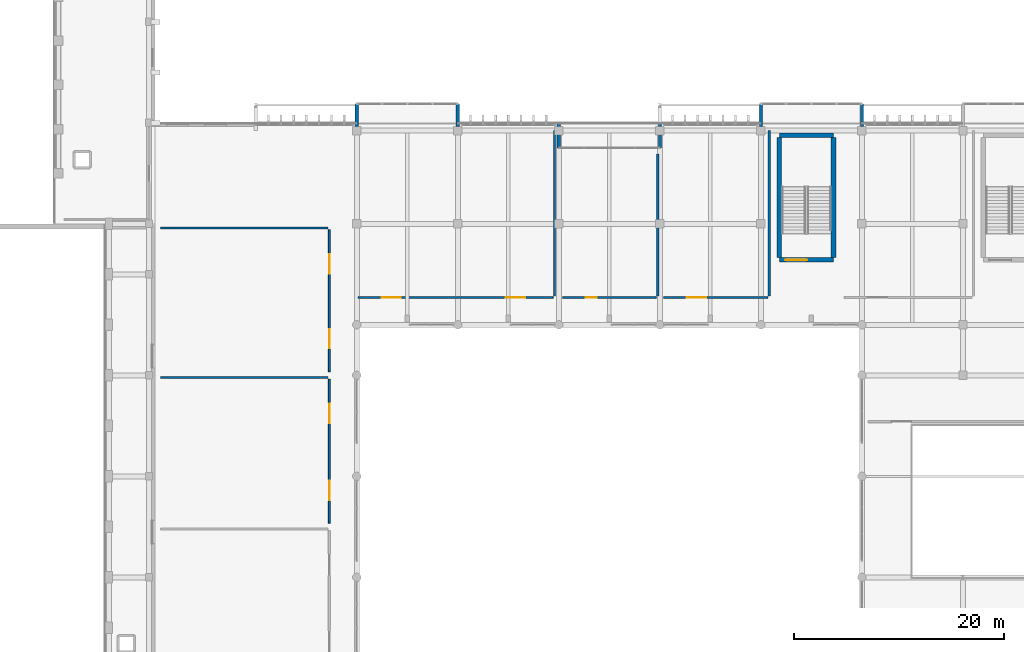
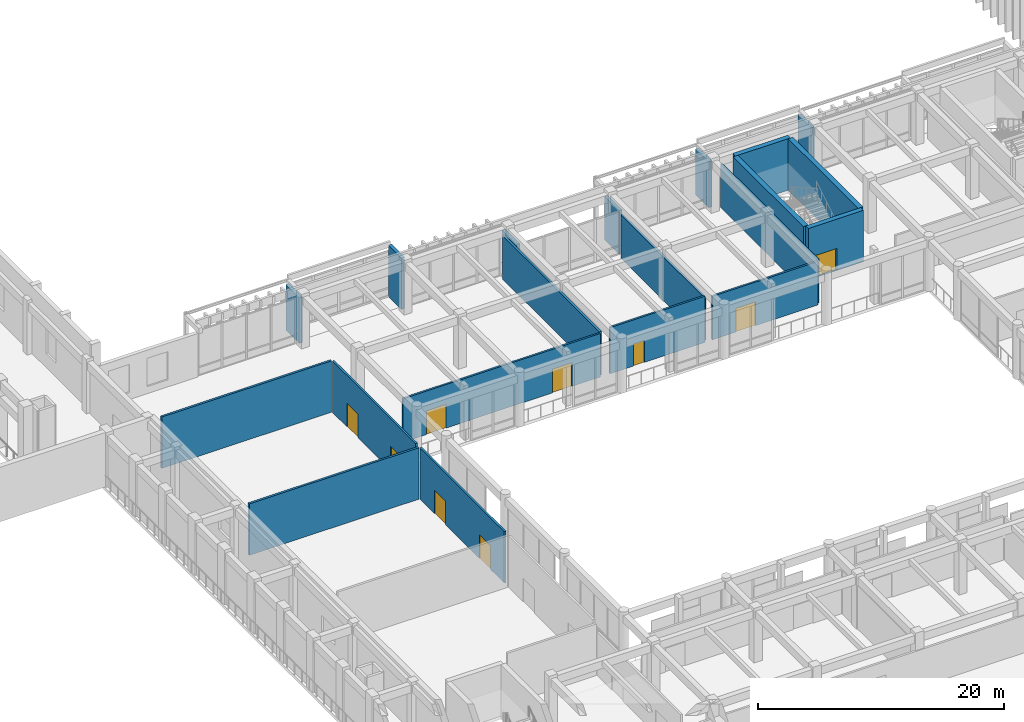
# One storey, part 105 of 134: 20 walls, 9 doors, 9 openings.
"""IFC4 building model written with IfcOpenShell, lengths in metres."""

from ifc_helpers import new_model, si_unit, direction, frame, frame_2d, origin, place, context, subcontext, project, spatial, rectangle, extrude, material, layer, layer_set, type_object, element, fill, save


model = new_model("IFC4")

# Units and contexts
model_context = context("Model", 3, precision=1e-05, world=origin(), true_north=direction((0.0, 1.0)))
body_context = subcontext(model_context, "Body", "Model", "MODEL_VIEW")
ifc_project = project(units=[si_unit("LENGTHUNIT", "METRE"), si_unit("AREAUNIT", "SQUARE_METRE"), si_unit("VOLUMEUNIT", "CUBIC_METRE"), si_unit("PLANEANGLEUNIT", "RADIAN"), si_unit("MASSUNIT", "GRAM", prefix="KILO")], contexts=[model_context])

# Site, building, storey
site_placement = place(None, origin())
site = spatial("IfcSite", under=ifc_project, at=site_placement, CompositionType="ELEMENT")
building_placement = place(site_placement, origin())
building = spatial("IfcBuilding", under=site, at=building_placement, Name="Nakhvara Creek Congress Hotel", CompositionType="ELEMENT")
storey_placement = place(building_placement, frame((0.0, 0.0, 6.0)))
storey = spatial("IfcBuildingStorey", under=building, at=storey_placement, Name="L01", CompositionType="ELEMENT", Elevation=6.0)

# Walls
ifc_material_1 = material(Name="Champagne-bronze anodised aluminium cassette", Category="aluminium")
ifc_layer_1 = layer(ifc_material_1, 0.030029296875)
ifc_material_2 = material(Name="Mineral wool thermal insulation")
ifc_layer_2 = layer(ifc_material_2, 0.10009765625)
ifc_material_3 = material(Name="Precast concrete C40/50", Category="concrete")
ifc_layer_3 = layer(ifc_material_3, 0.169921875)
ifc_layer_set_1 = layer_set([ifc_layer_1, ifc_layer_2, ifc_layer_3], Name="Precast concrete C40/50")
wall_type_1 = type_object("IfcWallType", Name="W-BOX-300", PredefinedType="SOLIDWALL", material=ifc_layer_set_1)
wall_1_placement = place(storey_placement, frame((76.800048828125, 95.64990234375, 0.0), z_axis=(0.0, 0.0, 1.0), x_axis=(0.0, 1.0, 0.0)))
element("IfcWall", 1, at=wall_1_placement, inside=storey, type_object=wall_type_1, Name="Exterior Wall WE06-EW-L01-0044", PredefinedType="SOLIDWALL", context=body_context, shape_type="SweptSolid", body=[
    extrude(rectangle(XDim=2.150146484375, YDim=0.300048828125, at=frame_2d((1.0751953125, 0.0))), origin(), (0.0, 0.0, 1.0), 4.5419921875),
])
wall_2_placement = place(storey_placement, frame((86.39990234375, 97.800048828125, 0.0), z_axis=(0.0, 0.0, 1.0), x_axis=(0.0, -1.0, 0.0)))
element("IfcWall", 2, at=wall_2_placement, inside=storey, type_object=wall_type_1, Name="Exterior Wall WE06-EW-L01-0045", PredefinedType="SOLIDWALL", context=body_context, shape_type="SweptSolid", body=[
    extrude(rectangle(XDim=2.150146484375, YDim=0.300048828125, at=frame_2d((1.0751953125, 0.0))), origin(), (0.0, 0.0, 1.0), 5.10009765625),
])
for number, where, z_axis, x_axis, name in (
    (3, (115.199951171875, 95.64990234375, 0.0), (0.0, 0.0, 1.0), (0.0, 1.0, 0.0), "Exterior Wall WE06-EW-L01-0046"),
    (4, (124.800048828125, 97.800048828125, 0.0), (0.0, 0.0, 1.0), (0.0, -1.0, 0.0), "Exterior Wall WE06-EW-L01-0047"),
):
    element("IfcWall", number, at=place(storey_placement, frame(where, z_axis=z_axis, x_axis=x_axis)), inside=storey, type_object=wall_type_1, Name=name, PredefinedType="SOLIDWALL", context=body_context, shape_type="SweptSolid", body=[
        extrude(rectangle(XDim=2.150146484375, YDim=0.300048828125, at=frame_2d((1.0751953125, 0.0))), origin(), (0.0, 0.0, 1.0), 4.5419921875),
    ])
for number, where, z_axis, x_axis, name in (
    (5, (96.0, 95.949951171875, 0.0), (0.0, 0.0, 1.0), (0.0, -1.0, 0.0), "Exterior Wall WE06-EW-L01-0050"),
    (6, (105.60009765625, 93.60009765625, 0.0), (0.0, 0.0, 1.0), (0.0, 1.0, 0.0), "Exterior Wall WE06-EW-L01-0051"),
):
    element("IfcWall", number, at=place(storey_placement, frame(where, z_axis=z_axis, x_axis=x_axis)), inside=storey, type_object=wall_type_1, Name=name, PredefinedType="SOLIDWALL", context=body_context, shape_type="SweptSolid", body=[
        extrude(rectangle(XDim=2.349853515625, YDim=0.300048828125, at=frame_2d((1.1748046875, 0.0))), origin(), (0.0, 0.0, 1.0), 4.31201171875),
    ])

# Wall, opening, door
ifc_material_4 = material(Name="Concrete C50/60", Category="concrete")
ifc_layer_4 = layer(ifc_material_4, 0.449951171875)
ifc_layer_set_2 = layer_set([ifc_layer_4], Name="Concrete C50/60")
wall_type_2 = type_object("IfcWallType", Name="W-CORE-450", PredefinedType="SHEAR", material=ifc_layer_set_2)
wall_3_placement = place(storey_placement, frame((116.949951171875, 82.97998046875, 0.0), z_axis=(0.0, 0.0, 1.0), x_axis=(1.0, 0.0, 0.0)))
wall_3 = element("IfcWall", 7, at=wall_3_placement, inside=storey, type_object=wall_type_2, Name="Core Shear Wall WS02-CWALL-L01-0899", PredefinedType="SHEAR", context=body_context, shape_type="SweptSolid", body=[
    extrude(rectangle(XDim=5.150146484375, YDim=0.449951171875, at=frame_2d((2.5751953125, 0.0))), origin(), (0.0, 0.0, 1.0), 5.10009765625),
])
opening_1_placement = place(wall_3_placement, frame((0.550048828125, 0.0, 0.0)))
opening_1 = element("IfcOpeningElement", 8, at=opening_1_placement, cuts=wall_3, Name="Opening FD19", PredefinedType="OPENING", context=body_context, shape_type="SweptSolid", body=[
    extrude(rectangle(XDim=2.10009765625, YDim=2.199951171875, at=frame_2d((1.050048828125, 1.10009765625))), frame((0.0, 0.23681640625, 0.0), z_axis=(0.0, -1.0, 0.0), x_axis=(1.0, 0.0, 0.0)), (0.0, 0.0, 1.0), 0.473876953125),
])
ifc_material_5 = material(Name="Galvanised steel acoustic fire door", Category="steel")
door_type_1 = type_object("IfcDoorType", Name="DT-STAIR-220", OperationType="DOUBLE_DOOR_SINGLE_SWING", PredefinedType="DOOR", material=ifc_material_5)
door_1_placement = place(opening_1_placement, frame((2.10009765625, 0.0, 0.0), z_axis=(0.0, 0.0, 1.0), x_axis=(-1.0, 0.0, 0.0)))
door_1 = element("IfcDoor", 9, at=door_1_placement, inside=storey, type_object=door_type_1, Name="Stair Exit Door ST09-L01", OperationType="DOUBLE_DOOR_SINGLE_SWING", OverallHeight=2.199951171875, OverallWidth=2.10009765625, PredefinedType="DOOR", context=body_context, shape_type="SweptSolid", body=[
    extrude(rectangle(XDim=2.10009765625, YDim=2.199951171875, at=frame_2d((1.050048828125, 1.10009765625))), frame((0.0, 0.02490234375, 0.0), z_axis=(0.0, -1.0, 0.0), x_axis=(1.0, 0.0, 0.0)), (0.0, 0.0, 1.0), 0.050048828125),
])
fill(opening_1, door_1)

# Walls
wall_4_placement = place(storey_placement, frame((116.949951171875, 94.820068359375, 0.0), z_axis=(0.0, 0.0, 1.0), x_axis=(1.0, 0.0, 0.0)))
element("IfcWall", 10, at=wall_4_placement, inside=storey, type_object=wall_type_2, Name="Core Shear Wall WS02-CWALL-L01-0900", PredefinedType="SHEAR", context=body_context, shape_type="SweptSolid", body=[
    extrude(rectangle(XDim=5.150146484375, YDim=0.449951171875, at=frame_2d((2.5751953125, 0.0))), origin(), (0.0, 0.0, 1.0), 5.10009765625),
])
for number, where, z_axis, x_axis, name in (
    (11, (116.949951171875, 83.199951171875, 0.0), (0.0, 0.0, 1.0), (0.0, 1.0, 0.0), "Core Shear Wall WS02-CWALL-L01-0901"),
    (12, (122.10009765625, 83.199951171875, 0.0), (0.0, 0.0, 1.0), (0.0, 1.0, 0.0), "Core Shear Wall WS02-CWALL-L01-0902"),
):
    element("IfcWall", number, at=place(storey_placement, frame(where, z_axis=z_axis, x_axis=x_axis)), inside=storey, type_object=wall_type_2, Name=name, PredefinedType="SHEAR", context=body_context, shape_type="SweptSolid", body=[
        extrude(rectangle(XDim=11.400146484375, YDim=0.449951171875, at=frame_2d((5.7001953125, 0.0))), origin(), (0.0, 0.0, 1.0), 5.10009765625),
    ])

# Wall, openings, doors
ifc_material_6 = material(Name="Gypsum acoustic board on steel stud", Category="steel")
ifc_layer_5 = layer(ifc_material_6, 0.179931640625)
ifc_layer_set_3 = layer_set([ifc_layer_5], Name="Gypsum acoustic board on steel stud")
wall_type_3 = type_object("IfcWallType", Name="W-MEET-180", PredefinedType="PARTITIONING", material=ifc_layer_set_3)
wall_5_placement = place(storey_placement, frame((74.199951171875, 57.949951171875, 0.0), z_axis=(0.0, 0.0, 1.0), x_axis=(0.0, 1.0, 0.0)))
wall_5 = element("IfcWall", 13, at=wall_5_placement, inside=storey, type_object=wall_type_3, Name="Interior Wall WP13-IW-L01-0091", PredefinedType="PARTITIONING", context=body_context, shape_type="SweptSolid", body=[
    extrude(rectangle(XDim=13.699951171875, YDim=0.179931640625, at=frame_2d((6.85009765625, 0.0))), origin(), (0.0, 0.0, 1.0), 5.10009765625),
])
opening_2_placement = place(wall_5_placement, frame((2.199951171875, 0.0, 0.0)))
opening_2 = element("IfcOpeningElement", 14, at=opening_2_placement, cuts=wall_5, Name="Opening MD01", PredefinedType="OPENING", context=body_context, shape_type="SweptSolid", body=[
    extrude(rectangle(XDim=1.85009765625, YDim=2.35009765625, at=frame_2d((0.925048828125, 1.175048828125))), frame((0.0, 0.10205078125, 0.0), z_axis=(0.0, -1.0, 0.0), x_axis=(1.0, 0.0, 0.0)), (0.0, 0.0, 1.0), 0.203857421875),
])
opening_3_placement = place(wall_5_placement, frame((9.5, 0.0, 0.0)))
opening_3 = element("IfcOpeningElement", 15, at=opening_3_placement, cuts=wall_5, Name="Opening MD01", PredefinedType="OPENING", context=body_context, shape_type="SweptSolid", body=[
    extrude(rectangle(XDim=1.85009765625, YDim=2.35009765625, at=frame_2d((0.925048828125, 1.175048828125))), frame((0.0, 0.10205078125, 0.0), z_axis=(0.0, -1.0, 0.0), x_axis=(1.0, 0.0, 0.0)), (0.0, 0.0, 1.0), 0.203857421875),
])
ifc_material_7 = material(Name="Acoustic walnut timber double door", Category="wood")
door_type_2 = type_object("IfcDoorType", Name="DT-MEET-185", OperationType="DOUBLE_DOOR_SINGLE_SWING", PredefinedType="DOOR", material=ifc_material_7)
door_2_placement = place(opening_2_placement, origin())
door_2 = element("IfcDoor", 16, at=door_2_placement, inside=storey, type_object=door_type_2, Name="Interior Door MD01-0092", OperationType="DOUBLE_DOOR_SINGLE_SWING", OverallHeight=2.35009765625, OverallWidth=1.85009765625, PredefinedType="DOOR", context=body_context, shape_type="SweptSolid", body=[
    extrude(rectangle(XDim=1.85009765625, YDim=2.35009765625, at=frame_2d((0.925048828125, 1.175048828125))), frame((0.0, 0.02490234375, 0.0), z_axis=(0.0, -1.0, 0.0), x_axis=(1.0, 0.0, 0.0)), (0.0, 0.0, 1.0), 0.050048828125),
])
fill(opening_2, door_2)
door_3_placement = place(opening_3_placement, origin())
door_3 = element("IfcDoor", 17, at=door_3_placement, inside=storey, type_object=door_type_2, Name="Interior Door MD01-0093", OperationType="DOUBLE_DOOR_SINGLE_SWING", OverallHeight=2.35009765625, OverallWidth=1.85009765625, PredefinedType="DOOR", context=body_context, shape_type="SweptSolid", body=[
    extrude(rectangle(XDim=1.85009765625, YDim=2.35009765625, at=frame_2d((0.925048828125, 1.175048828125))), frame((0.0, 0.02490234375, 0.0), z_axis=(0.0, -1.0, 0.0), x_axis=(1.0, 0.0, 0.0)), (0.0, 0.0, 1.0), 0.050048828125),
])
fill(opening_3, door_3)

wall_6_placement = place(storey_placement, frame((74.199951171875, 72.35009765625, 0.0), z_axis=(0.0, 0.0, 1.0), x_axis=(0.0, 1.0, 0.0)))
wall_6 = element("IfcWall", 18, at=wall_6_placement, inside=storey, type_object=wall_type_3, Name="Interior Wall WP13-IW-L01-0093", PredefinedType="PARTITIONING", context=body_context, shape_type="SweptSolid", body=[
    extrude(rectangle(XDim=13.5, YDim=0.179931640625, at=frame_2d((6.75, 0.0))), origin(), (0.0, 0.0, 1.0), 5.10009765625),
])
opening_4_placement = place(wall_6_placement, frame((2.199951171875, 0.0, 0.0)))
opening_4 = element("IfcOpeningElement", 19, at=opening_4_placement, cuts=wall_6, Name="Opening MD01", PredefinedType="OPENING", context=body_context, shape_type="SweptSolid", body=[
    extrude(rectangle(XDim=1.85009765625, YDim=2.35009765625, at=frame_2d((0.925048828125, 1.175048828125))), frame((0.0, 0.10205078125, 0.0), z_axis=(0.0, -1.0, 0.0), x_axis=(1.0, 0.0, 0.0)), (0.0, 0.0, 1.0), 0.203857421875),
])
opening_5_placement = place(wall_6_placement, frame((9.300048828125, 0.0, 0.0)))
opening_5 = element("IfcOpeningElement", 20, at=opening_5_placement, cuts=wall_6, Name="Opening MD01", PredefinedType="OPENING", context=body_context, shape_type="SweptSolid", body=[
    extrude(rectangle(XDim=1.85009765625, YDim=2.35009765625, at=frame_2d((0.925048828125, 1.175048828125))), frame((0.0, 0.10205078125, 0.0), z_axis=(0.0, -1.0, 0.0), x_axis=(1.0, 0.0, 0.0)), (0.0, 0.0, 1.0), 0.203857421875),
])
door_4_placement = place(opening_4_placement, origin())
door_4 = element("IfcDoor", 21, at=door_4_placement, inside=storey, type_object=door_type_2, Name="Interior Door MD01-0094", OperationType="DOUBLE_DOOR_SINGLE_SWING", OverallHeight=2.35009765625, OverallWidth=1.85009765625, PredefinedType="DOOR", context=body_context, shape_type="SweptSolid", body=[
    extrude(rectangle(XDim=1.85009765625, YDim=2.35009765625, at=frame_2d((0.925048828125, 1.175048828125))), frame((0.0, 0.02490234375, 0.0), z_axis=(0.0, -1.0, 0.0), x_axis=(1.0, 0.0, 0.0)), (0.0, 0.0, 1.0), 0.050048828125),
])
fill(opening_4, door_4)
door_5_placement = place(opening_5_placement, origin())
door_5 = element("IfcDoor", 22, at=door_5_placement, inside=storey, type_object=door_type_2, Name="Interior Door MD01-0095", OperationType="DOUBLE_DOOR_SINGLE_SWING", OverallHeight=2.35009765625, OverallWidth=1.85009765625, PredefinedType="DOOR", context=body_context, shape_type="SweptSolid", body=[
    extrude(rectangle(XDim=1.85009765625, YDim=2.35009765625, at=frame_2d((0.925048828125, 1.175048828125))), frame((0.0, 0.02490234375, 0.0), z_axis=(0.0, -1.0, 0.0), x_axis=(1.0, 0.0, 0.0)), (0.0, 0.0, 1.0), 0.050048828125),
])
fill(opening_5, door_5)

wall_7_placement = place(storey_placement, frame((76.949951171875, 79.39990234375, 0.0), z_axis=(0.0, 0.0, 1.0), x_axis=(1.0, 0.0, 0.0)))
wall_7 = element("IfcWall", 23, at=wall_7_placement, inside=storey, type_object=wall_type_3, Name="Interior Wall WP13-IW-L01-0095", PredefinedType="PARTITIONING", context=body_context, shape_type="SweptSolid", body=[
    extrude(rectangle(XDim=18.5, YDim=0.179931640625, at=frame_2d((9.25, 0.0))), origin(), (0.0, 0.0, 1.0), 4.31201171875),
])
opening_6_placement = place(wall_7_placement, frame((2.199951171875, 0.0, 0.0)))
opening_6 = element("IfcOpeningElement", 24, at=opening_6_placement, cuts=wall_7, Name="Opening MD01", PredefinedType="OPENING", context=body_context, shape_type="SweptSolid", body=[
    extrude(rectangle(XDim=1.85009765625, YDim=2.35009765625, at=frame_2d((0.925048828125, 1.175048828125))), frame((0.0, 0.10205078125, 0.0), z_axis=(0.0, -1.0, 0.0), x_axis=(1.0, 0.0, 0.0)), (0.0, 0.0, 1.0), 0.203857421875),
])
opening_7_placement = place(wall_7_placement, frame((14.0, 0.0, 0.0)))
opening_7 = element("IfcOpeningElement", 25, at=opening_7_placement, cuts=wall_7, Name="Opening MD01", PredefinedType="OPENING", context=body_context, shape_type="SweptSolid", body=[
    extrude(rectangle(XDim=1.85009765625, YDim=2.35009765625, at=frame_2d((0.925048828125, 1.175048828125))), frame((0.0, 0.10205078125, 0.0), z_axis=(0.0, -1.0, 0.0), x_axis=(1.0, 0.0, 0.0)), (0.0, 0.0, 1.0), 0.203857421875),
])
door_6_placement = place(opening_6_placement, frame((1.85009765625, 0.0, 0.0), z_axis=(0.0, 0.0, 1.0), x_axis=(-1.0, 0.0, 0.0)))
door_6 = element("IfcDoor", 26, at=door_6_placement, inside=storey, type_object=door_type_2, Name="Interior Door MD01-0096", OperationType="DOUBLE_DOOR_SINGLE_SWING", OverallHeight=2.35009765625, OverallWidth=1.85009765625, PredefinedType="DOOR", context=body_context, shape_type="SweptSolid", body=[
    extrude(rectangle(XDim=1.85009765625, YDim=2.35009765625, at=frame_2d((0.925048828125, 1.175048828125))), frame((0.0, 0.02490234375, 0.0), z_axis=(0.0, -1.0, 0.0), x_axis=(1.0, 0.0, 0.0)), (0.0, 0.0, 1.0), 0.050048828125),
])
fill(opening_6, door_6)
door_7_placement = place(opening_7_placement, frame((1.85009765625, 0.0, 0.0), z_axis=(0.0, 0.0, 1.0), x_axis=(-1.0, 0.0, 0.0)))
door_7 = element("IfcDoor", 27, at=door_7_placement, inside=storey, type_object=door_type_2, Name="Interior Door MD01-0097", OperationType="DOUBLE_DOOR_SINGLE_SWING", OverallHeight=2.35009765625, OverallWidth=1.85009765625, PredefinedType="DOOR", context=body_context, shape_type="SweptSolid", body=[
    extrude(rectangle(XDim=1.85009765625, YDim=2.35009765625, at=frame_2d((0.925048828125, 1.175048828125))), frame((0.0, 0.02490234375, 0.0), z_axis=(0.0, -1.0, 0.0), x_axis=(1.0, 0.0, 0.0)), (0.0, 0.0, 1.0), 0.050048828125),
])
fill(opening_7, door_7)

# Wall, opening, door
wall_8_placement = place(storey_placement, frame((96.35009765625, 79.39990234375, 0.0), z_axis=(0.0, 0.0, 1.0), x_axis=(1.0, 0.0, 0.0)))
wall_8 = element("IfcWall", 28, at=wall_8_placement, inside=storey, type_object=wall_type_3, Name="Interior Wall WP13-IW-L01-0097", PredefinedType="PARTITIONING", context=body_context, shape_type="SweptSolid", body=[
    extrude(rectangle(XDim=8.89990234375, YDim=0.179931640625, at=frame_2d((4.449951171875, 0.0))), origin(), (0.0, 0.0, 1.0), 4.572021484375),
])
opening_8_placement = place(wall_8_placement, frame((2.199951171875, 0.0, 0.0)))
opening_8 = element("IfcOpeningElement", 29, at=opening_8_placement, cuts=wall_8, Name="Opening ID04", PredefinedType="OPENING", context=body_context, shape_type="SweptSolid", body=[
    extrude(rectangle(XDim=1.050048828125, YDim=2.179931640625, at=frame_2d((0.52490234375, 1.08984375))), frame((0.0, 0.10205078125, 0.0), z_axis=(0.0, -1.0, 0.0), x_axis=(1.0, 0.0, 0.0)), (0.0, 0.0, 1.0), 0.203857421875),
])
ifc_material_8 = material(Name="Teak timber & frosted glass spa door", Category="wood")
door_type_3 = type_object("IfcDoorType", Name="DT-SPA-105", OperationType="NOTDEFINED", PredefinedType="DOOR", material=ifc_material_8)
door_8_placement = place(opening_8_placement, frame((1.050048828125, 0.0, 0.0), z_axis=(0.0, 0.0, 1.0), x_axis=(-1.0, 0.0, 0.0)))
door_8 = element("IfcDoor", 30, at=door_8_placement, inside=storey, type_object=door_type_3, Name="Interior Door ID04-0098", OperationType="SINGLE_SWING_LEFT", OverallHeight=2.179931640625, OverallWidth=1.050048828125, PredefinedType="DOOR", context=body_context, shape_type="SweptSolid", body=[
    extrude(rectangle(XDim=1.050048828125, YDim=2.179931640625, at=frame_2d((0.52490234375, 1.08984375))), frame((0.0, 0.02490234375, 0.0), z_axis=(0.0, -1.0, 0.0), x_axis=(1.0, 0.0, 0.0)), (0.0, 0.0, 1.0), 0.050048828125),
])
fill(opening_8, door_8)

wall_9_placement = place(storey_placement, frame((105.949951171875, 79.39990234375, 0.0), z_axis=(0.0, 0.0, 1.0), x_axis=(1.0, 0.0, 0.0)))
wall_9 = element("IfcWall", 31, at=wall_9_placement, inside=storey, type_object=wall_type_3, Name="Interior Wall WP13-IW-L01-0099", PredefinedType="PARTITIONING", context=body_context, shape_type="SweptSolid", body=[
    extrude(rectangle(XDim=9.900146484375, YDim=0.179931640625, at=frame_2d((4.9501953125, 0.0))), origin(), (0.0, 0.0, 1.0), 4.31201171875),
])
opening_9_placement = place(wall_9_placement, frame((2.199951171875, 0.0, 0.0)))
opening_9 = element("IfcOpeningElement", 32, at=opening_9_placement, cuts=wall_9, Name="Opening MD01", PredefinedType="OPENING", context=body_context, shape_type="SweptSolid", body=[
    extrude(rectangle(XDim=1.85009765625, YDim=2.35009765625, at=frame_2d((0.925048828125, 1.175048828125))), frame((0.0, 0.10205078125, 0.0), z_axis=(0.0, -1.0, 0.0), x_axis=(1.0, 0.0, 0.0)), (0.0, 0.0, 1.0), 0.203857421875),
])
door_9_placement = place(opening_9_placement, frame((1.85009765625, 0.0, 0.0), z_axis=(0.0, 0.0, 1.0), x_axis=(-1.0, 0.0, 0.0)))
door_9 = element("IfcDoor", 33, at=door_9_placement, inside=storey, type_object=door_type_2, Name="Interior Door MD01-0099", OperationType="DOUBLE_DOOR_SINGLE_SWING", OverallHeight=2.35009765625, OverallWidth=1.85009765625, PredefinedType="DOOR", context=body_context, shape_type="SweptSolid", body=[
    extrude(rectangle(XDim=1.85009765625, YDim=2.35009765625, at=frame_2d((0.925048828125, 1.175048828125))), frame((0.0, 0.02490234375, 0.0), z_axis=(0.0, -1.0, 0.0), x_axis=(1.0, 0.0, 0.0)), (0.0, 0.0, 1.0), 0.050048828125),
])
fill(opening_9, door_9)

# Walls
ifc_layer_6 = layer(ifc_material_6, 0.199951171875)
ifc_layer_set_4 = layer_set([ifc_layer_6], Name="Gypsum acoustic board on steel stud")
wall_type_4 = type_object("IfcWallType", Name="W-PART-200", PredefinedType="PARTITIONING", material=ifc_layer_set_4)
for number, where, z_axis, x_axis, name in (
    (34, (58.14990234375, 71.800048828125, 0.0), (0.0, 0.0, 1.0), (1.0, 0.0, 0.0), "Interior Wall WP12-IW-L01-0092"),
    (35, (58.14990234375, 86.0, 0.0), (0.0, 0.0, 1.0), (1.0, 0.0, 0.0), "Interior Wall WP12-IW-L01-0094"),
):
    element("IfcWall", number, at=place(storey_placement, frame(where, z_axis=z_axis, x_axis=x_axis)), inside=storey, type_object=wall_type_4, Name=name, PredefinedType="PARTITIONING", context=body_context, shape_type="SweptSolid", body=[
        extrude(rectangle(XDim=15.900146484375, YDim=0.199951171875, at=frame_2d((7.9501953125, 0.0))), origin(), (0.0, 0.0, 1.0), 5.10009765625),
    ])
wall_10_placement = place(storey_placement, frame((95.60009765625, 79.550048828125, 0.0), z_axis=(0.0, 0.0, 1.0), x_axis=(0.0, 1.0, 0.0)))
element("IfcWall", 36, at=wall_10_placement, inside=storey, type_object=wall_type_4, Name="Interior Wall WP12-IW-L01-0096", PredefinedType="PARTITIONING", context=body_context, shape_type="SweptSolid", body=[
    extrude(rectangle(XDim=15.699951171875, YDim=0.199951171875, at=frame_2d((7.85009765625, 0.0))), origin(), (0.0, 0.0, 1.0), 4.31201171875),
])
wall_11_placement = place(storey_placement, frame((105.39990234375, 79.550048828125, 0.0), z_axis=(0.0, 0.0, 1.0), x_axis=(0.0, 1.0, 0.0)))
element("IfcWall", 37, at=wall_11_placement, inside=storey, type_object=wall_type_4, Name="Interior Wall WP12-IW-L01-0098", PredefinedType="PARTITIONING", context=body_context, shape_type="SweptSolid", body=[
    extrude(rectangle(XDim=13.5, YDim=0.199951171875, at=frame_2d((6.75, 0.0))), origin(), (0.0, 0.0, 1.0), 4.31201171875),
])
wall_12_placement = place(storey_placement, frame((116.0, 79.550048828125, 0.0), z_axis=(0.0, 0.0, 1.0), x_axis=(0.0, 1.0, 0.0)))
element("IfcWall", 38, at=wall_12_placement, inside=storey, type_object=wall_type_4, Name="Interior Wall WP12-IW-L01-0100", PredefinedType="PARTITIONING", context=body_context, shape_type="SweptSolid", body=[
    extrude(rectangle(XDim=15.699951171875, YDim=0.199951171875, at=frame_2d((7.85009765625, 0.0))), origin(), (0.0, 0.0, 1.0), 4.31201171875),
])

save(model, "model.ifc")
